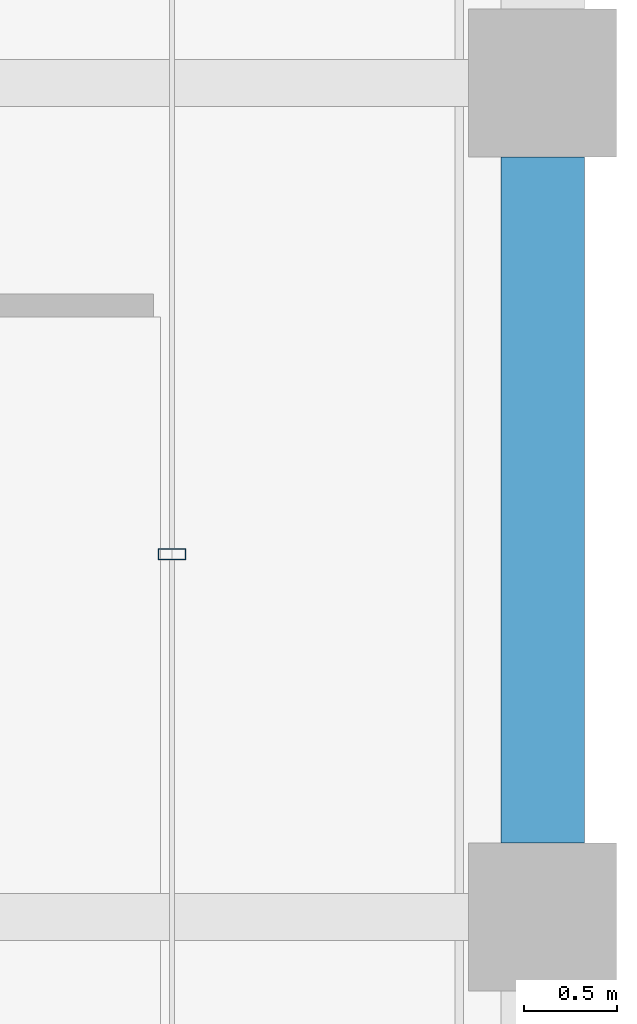
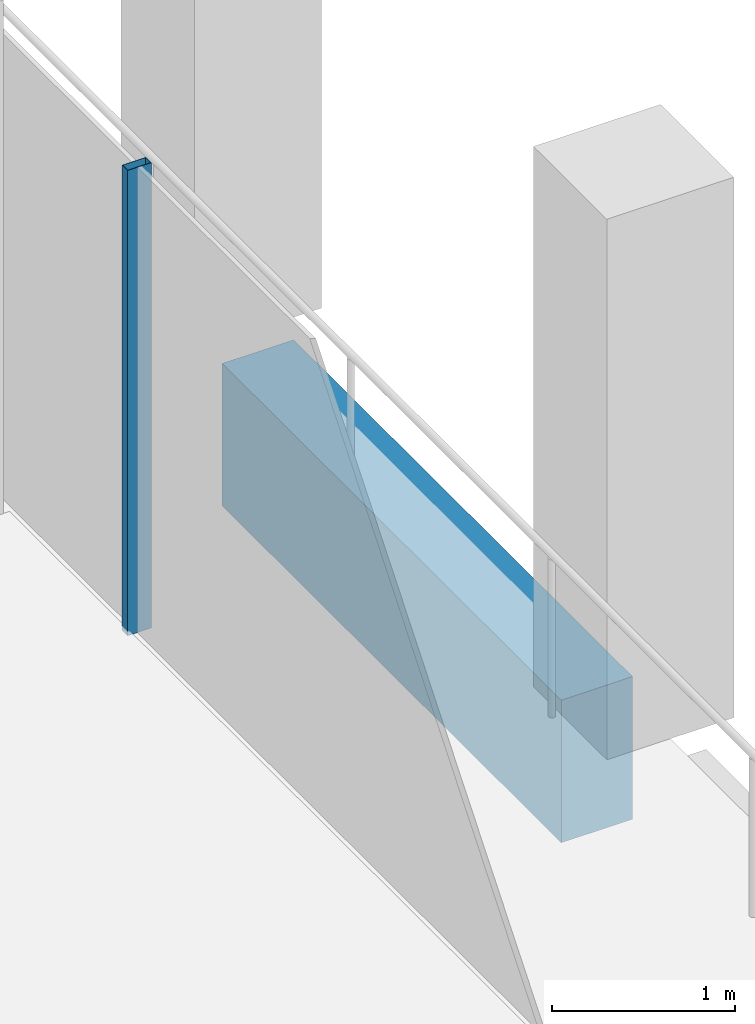
# One storey, part 17 of 30: 1 beam, 1 member, 1 element without a shape of its own.
"""IFC4 building model written with IfcOpenShell, lengths in metres."""

from ifc_helpers import new_model, si_unit, direction, frame, origin, origin_2d, place, context, subcontext, project, spatial, rectangle, hollow_rectangle, extrude, material, material_profile, profile_set, type_object, element, aggregate, save


model = new_model("IFC4")

# Units and contexts
model_context = context("Model", 3, precision=1e-05, world=origin(), true_north=direction((0.0, 1.0)))
body_context = subcontext(model_context, "Body", "Model", "MODEL_VIEW")
ifc_project = project(units=[si_unit("LENGTHUNIT", "METRE"), si_unit("AREAUNIT", "SQUARE_METRE"), si_unit("VOLUMEUNIT", "CUBIC_METRE"), si_unit("PLANEANGLEUNIT", "RADIAN"), si_unit("MASSUNIT", "GRAM", prefix="KILO")], contexts=[model_context])

# Site, building, storey
site_placement = place(None, origin())
site = spatial("IfcSite", under=ifc_project, at=site_placement, CompositionType="ELEMENT")
building_placement = place(site_placement, origin())
building = spatial("IfcBuilding", under=site, at=building_placement, Name="Altepetl Exchange Towers", CompositionType="ELEMENT")
storey_placement = place(building_placement, frame((0.0, 0.0, 220.800048828125)))
storey = spatial("IfcBuildingStorey", under=building, at=storey_placement, Name="L56", CompositionType="ELEMENT", Elevation=220.800048828125)

# Curtain wall, member
ifc_material_1 = material(Name="Aluminium 6063-T6 glazing", Category="aluminium")
curtain_wall_type = type_object("IfcCurtainWallType", Name="Loggia glazing system", PredefinedType="NOTDEFINED", material=ifc_material_1)
curtain_wall_placement = place(storey_placement, origin())
curtain_wall = element("IfcCurtainWall", 1, at=curtain_wall_placement, inside=storey, type_object=curtain_wall_type, Name="CW1 run", PredefinedType="NOTDEFINED")
ifc_material_2 = material(Name="Aluminium 6063-T6", Category="aluminium")
ifc_material_profile_1 = material_profile(ifc_material_2, hollow_rectangle(XDim=0.06005859375, YDim=0.14990234375, WallThickness=0.0029296875, at=origin_2d()), Name="Mullion 60x150 aluminium")
ifc_profile_set_1 = profile_set([ifc_material_profile_1], Name="Aluminium 6063-T6")
member_type = type_object("IfcMemberType", Name="Mullion 60x150 aluminium", PredefinedType="MULLION", material=ifc_profile_set_1)
member_placement = place(storey_placement, frame((70.0, 46.9580078125, 0.0), z_axis=(0.0, 0.0, 1.0), x_axis=(0.0, 1.0, 0.0)))
member = element("IfcMember", 2, at=member_placement, type_object=member_type, Name="MU1 mullion", PredefinedType="MULLION", context=body_context, shape_type="SweptSolid", body=[
    extrude(hollow_rectangle(XDim=0.06005859375, YDim=0.14990234375, WallThickness=0.0029296875, at=origin_2d()), origin(), (0.0, 0.0, 1.0), 3.099853515625),
])
aggregate(curtain_wall, [member])

# Beam
ifc_material_3 = material(Name="Concrete C50/60 precast with cantera amarilla facing", Category="concrete")
ifc_material_profile_2 = material_profile(ifc_material_3, rectangle(XDim=0.449951171875, YDim=0.949951171875, at=origin_2d()), Name="450 x 950")
ifc_profile_set_2 = profile_set([ifc_material_profile_2], Name="Concrete C50/60 precast with cantera amarilla facing")
beam_type = type_object("IfcBeamType", Name="Spandrel beam 450x950 cantera amarilla", PredefinedType="SPANDREL", material=ifc_profile_set_2)
beam_placement = place(storey_placement, frame((72.0, 45.39990234375, -0.625), z_axis=(0.0, 1.0, 0.0), x_axis=(-1.0, 0.0, 0.0)))
element("IfcBeam", 3, at=beam_placement, inside=storey, type_object=beam_type, Name="sp:A:L56:015", PredefinedType="SPANDREL", context=body_context, shape_type="SweptSolid", body=[
    extrude(rectangle(XDim=0.449951171875, YDim=0.949951171875, at=origin_2d()), origin(), (0.0, 0.0, 1.0), 3.7001953125),
])

save(model, "model.ifc")
